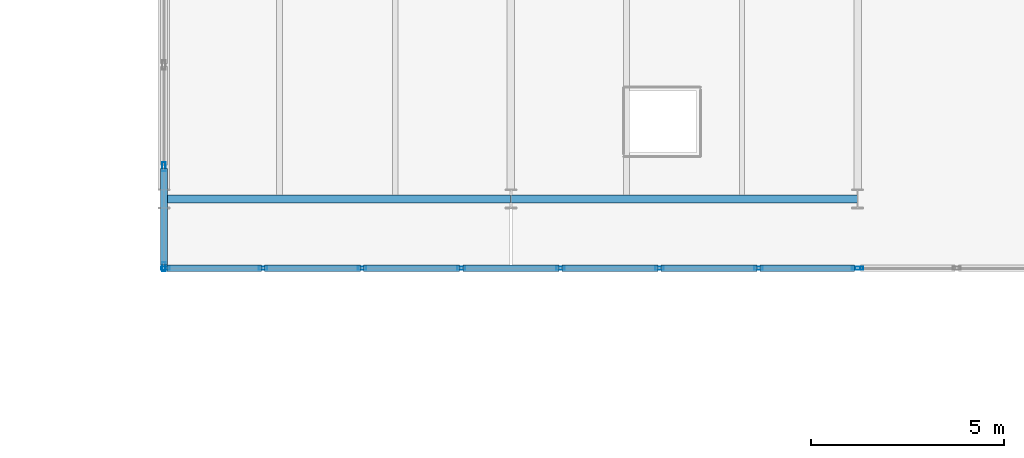
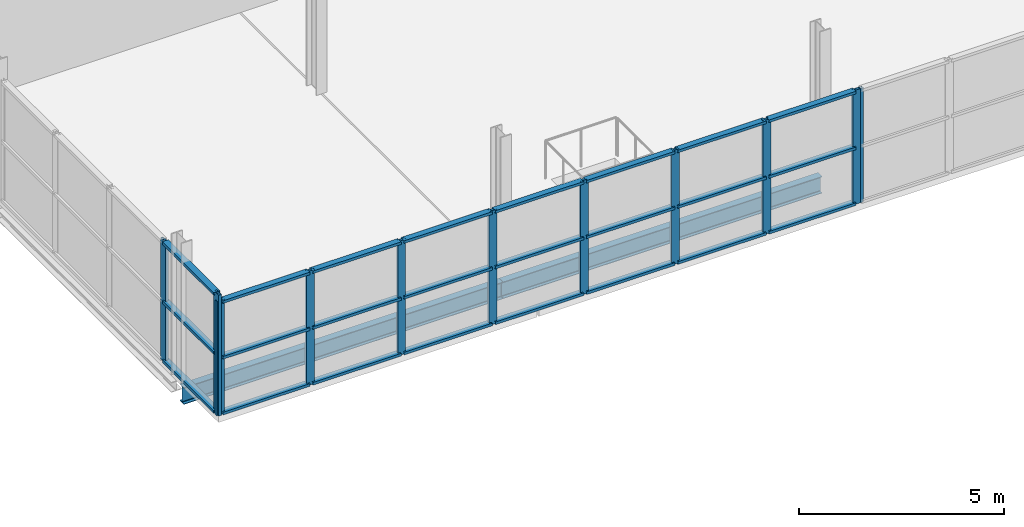
# One storey, part 6 of 59: 35 members, 2 beams, 3 elements without a shape of their own.
"""IFC4 building model written with IfcOpenShell, lengths in metres."""

from ifc_helpers import new_model, si_unit, direction, frame, origin, origin_2d, place, context, subcontext, project, spatial, hollow_rectangle, i_section, extrude, material, layer, layer_set, material_profile, profile_set, type_object, element, aggregate, save


model = new_model("IFC4")

# Units and contexts
model_context = context("Model", 3, precision=1e-05, world=origin(), true_north=direction((0.0, 1.0)))
body_context = subcontext(model_context, "Body", "Model", "MODEL_VIEW")
ifc_project = project(units=[si_unit("LENGTHUNIT", "METRE"), si_unit("AREAUNIT", "SQUARE_METRE"), si_unit("VOLUMEUNIT", "CUBIC_METRE"), si_unit("PLANEANGLEUNIT", "RADIAN"), si_unit("MASSUNIT", "GRAM", prefix="KILO")], contexts=[model_context])

# Site, building, storey
site_placement = place(None, origin())
site = spatial("IfcSite", under=ifc_project, at=site_placement, CompositionType="ELEMENT")
building_placement = place(site_placement, origin())
building = spatial("IfcBuilding", under=site, at=building_placement, Name="Deido Ridge Mobility Hub", CompositionType="ELEMENT")
storey_placement = place(building_placement, frame((0.0, 0.0, 21.0)))
storey = spatial("IfcBuildingStorey", under=building, at=storey_placement, Name="L05", CompositionType="ELEMENT", Elevation=21.0)

# Beams
ifc_material_1 = material(Name="Steel S355J2 EN 10025-2", Category="steel")
ifc_material_profile_1 = material_profile(ifc_material_1, i_section(OverallWidth=0.199951171875, OverallDepth=0.5, WebThickness=0.01025390625, FlangeThickness=0.01611328125, FilletRadius=0.02099609375, at=origin_2d()), Name="IPE 500")
ifc_profile_set_1 = profile_set([ifc_material_profile_1], Name="Steel S355J2 EN 10025-2")
beam_type = type_object("IfcBeamType", Name="BM-IPE500", PredefinedType="BEAM", material=ifc_profile_set_1)
for number, where, z_axis, x_axis, name in (
    (1, (63.007080078125, 45.0, -0.4951171875), (1.0, 0.0, 0.0), (0.0, 1.0, 0.0), "Floor beam B3"),
    (2, (72.007080078125, 45.0, -0.4951171875), (1.0, 0.0, 0.0), (0.0, 1.0, 0.0), "Floor beam B3"),
):
    element("IfcBeam", number, at=place(storey_placement, frame(where, z_axis=z_axis, x_axis=x_axis)), inside=storey, type_object=beam_type, Name=name, PredefinedType="BEAM", context=body_context, shape_type="SweptSolid", body=[
        extrude(i_section(OverallWidth=0.199951171875, OverallDepth=0.5, WebThickness=0.01025390625, FlangeThickness=0.01611328125, FilletRadius=0.02099609375, at=origin_2d()), origin(), (0.0, 0.0, 1.0), 8.98583984375),
    ])

# Curtain wall, members
ifc_material_2 = material(Name="Anodised aluminium EN AW-6063 T6", Category="aluminium")
ifc_layer_1 = layer(ifc_material_2, 0.2548828125, Name="Anodised aluminium EN AW-6063 T6")
ifc_layer_set_1 = layer_set([ifc_layer_1], Name="Anodised aluminium EN AW-6063 T6")
curtain_wall_type_1 = type_object("IfcCurtainWallType", Name="CW-UF-7", PredefinedType="USERDEFINED", material=ifc_layer_set_1)
curtain_wall_1_placement = place(storey_placement, origin())
curtain_wall_1 = element("IfcCurtainWall", 3, at=curtain_wall_1_placement, inside=storey, type_object=curtain_wall_type_1, Name="Unitised curtain wall CW7", ObjectType="UNITISED FACADE", PredefinedType="USERDEFINED")
ifc_material_profile_2 = material_profile(ifc_material_2, hollow_rectangle(XDim=0.080078125, YDim=0.219970703125, WallThickness=0.00390625, at=origin_2d()), Name="RHS 80x220x4")
ifc_profile_set_2 = profile_set([ifc_material_profile_2], Name="Anodised aluminium EN AW-6063 T6")
member_type_1 = type_object("IfcMemberType", Name="MEM-MUL-80X220", PredefinedType="MULLION", material=ifc_profile_set_2)
member_1_placement = place(storey_placement, frame((63.0400390625, 43.199951171875, 0.0), z_axis=(0.0, 0.0, 1.0), x_axis=(0.0, 1.0, 0.0)))
member_1 = element("IfcMember", 4, at=member_1_placement, type_object=member_type_1, Name="CW7 mullion 1", PredefinedType="MULLION", context=body_context, shape_type="SweptSolid", body=[
    extrude(hollow_rectangle(XDim=0.080078125, YDim=0.219970703125, WallThickness=0.00390625, at=origin_2d()), origin(), (0.0, 0.0, 1.0), 3.39990234375),
])
member_2_placement = place(storey_placement, frame((65.571533203125, 43.199951171875, 0.0), z_axis=(0.0, 0.0, 1.0), x_axis=(0.0, 1.0, 0.0)))
member_2 = element("IfcMember", 5, at=member_2_placement, type_object=member_type_1, Name="CW7 mullion 2", PredefinedType="MULLION", context=body_context, shape_type="SweptSolid", body=[
    extrude(hollow_rectangle(XDim=0.080078125, YDim=0.219970703125, WallThickness=0.00390625, at=origin_2d()), origin(), (0.0, 0.0, 1.0), 3.39990234375),
])
member_3_placement = place(storey_placement, frame((68.142822265625, 43.199951171875, 0.0), z_axis=(0.0, 0.0, 1.0), x_axis=(0.0, 1.0, 0.0)))
member_3 = element("IfcMember", 6, at=member_3_placement, type_object=member_type_1, Name="CW7 mullion 3", PredefinedType="MULLION", context=body_context, shape_type="SweptSolid", body=[
    extrude(hollow_rectangle(XDim=0.080078125, YDim=0.219970703125, WallThickness=0.00390625, at=origin_2d()), origin(), (0.0, 0.0, 1.0), 3.39990234375),
])
member_4_placement = place(storey_placement, frame((70.71435546875, 43.199951171875, 0.0), z_axis=(0.0, 0.0, 1.0), x_axis=(0.0, 1.0, 0.0)))
member_4 = element("IfcMember", 7, at=member_4_placement, type_object=member_type_1, Name="CW7 mullion 4", PredefinedType="MULLION", context=body_context, shape_type="SweptSolid", body=[
    extrude(hollow_rectangle(XDim=0.080078125, YDim=0.219970703125, WallThickness=0.00390625, at=origin_2d()), origin(), (0.0, 0.0, 1.0), 3.39990234375),
])
member_5_placement = place(storey_placement, frame((73.28564453125, 43.199951171875, 0.0), z_axis=(0.0, 0.0, 1.0), x_axis=(0.0, 1.0, 0.0)))
member_5 = element("IfcMember", 8, at=member_5_placement, type_object=member_type_1, Name="CW7 mullion 5", PredefinedType="MULLION", context=body_context, shape_type="SweptSolid", body=[
    extrude(hollow_rectangle(XDim=0.080078125, YDim=0.219970703125, WallThickness=0.00390625, at=origin_2d()), origin(), (0.0, 0.0, 1.0), 3.39990234375),
])
member_6_placement = place(storey_placement, frame((75.857177734375, 43.199951171875, 0.0), z_axis=(0.0, 0.0, 1.0), x_axis=(0.0, 1.0, 0.0)))
member_6 = element("IfcMember", 9, at=member_6_placement, type_object=member_type_1, Name="CW7 mullion 6", PredefinedType="MULLION", context=body_context, shape_type="SweptSolid", body=[
    extrude(hollow_rectangle(XDim=0.080078125, YDim=0.219970703125, WallThickness=0.00390625, at=origin_2d()), origin(), (0.0, 0.0, 1.0), 3.39990234375),
])
member_7_placement = place(storey_placement, frame((78.428466796875, 43.199951171875, 0.0), z_axis=(0.0, 0.0, 1.0), x_axis=(0.0, 1.0, 0.0)))
member_7 = element("IfcMember", 10, at=member_7_placement, type_object=member_type_1, Name="CW7 mullion 7", PredefinedType="MULLION", context=body_context, shape_type="SweptSolid", body=[
    extrude(hollow_rectangle(XDim=0.080078125, YDim=0.219970703125, WallThickness=0.00390625, at=origin_2d()), origin(), (0.0, 0.0, 1.0), 3.39990234375),
])
member_8_placement = place(storey_placement, frame((80.9599609375, 43.199951171875, 0.0), z_axis=(0.0, 0.0, 1.0), x_axis=(0.0, 1.0, 0.0)))
member_8 = element("IfcMember", 11, at=member_8_placement, type_object=member_type_1, Name="CW7 mullion 8", PredefinedType="MULLION", context=body_context, shape_type="SweptSolid", body=[
    extrude(hollow_rectangle(XDim=0.080078125, YDim=0.219970703125, WallThickness=0.00390625, at=origin_2d()), origin(), (0.0, 0.0, 1.0), 3.39990234375),
])

# Curtain wall, member
curtain_wall_2_placement = place(storey_placement, origin())
curtain_wall_2 = element("IfcCurtainWall", 12, at=curtain_wall_2_placement, inside=storey, type_object=curtain_wall_type_1, Name="Unitised curtain wall CW7", ObjectType="UNITISED FACADE", PredefinedType="USERDEFINED")
member_9_placement = place(storey_placement, frame((81.0400390625, 43.199951171875, 0.0), z_axis=(0.0, 0.0, 1.0), x_axis=(0.0, 1.0, 0.0)))
member_9 = element("IfcMember", 13, at=member_9_placement, type_object=member_type_1, Name="CW7 mullion 1", PredefinedType="MULLION", context=body_context, shape_type="SweptSolid", body=[
    extrude(hollow_rectangle(XDim=0.080078125, YDim=0.219970703125, WallThickness=0.00390625, at=origin_2d()), origin(), (0.0, 0.0, 1.0), 3.39990234375),
])
aggregate(curtain_wall_2, [member_9])

# Curtain wall, members
ifc_layer_2 = layer(ifc_material_2, 0.156005859375, Name="Anodised aluminium EN AW-6063 T6")
ifc_layer_set_2 = layer_set([ifc_layer_2], Name="Anodised aluminium EN AW-6063 T6")
curtain_wall_type_2 = type_object("IfcCurtainWallType", Name="CW-GS-3", PredefinedType="USERDEFINED", material=ifc_layer_set_2)
curtain_wall_3_placement = place(storey_placement, origin())
curtain_wall_3 = element("IfcCurtainWall", 14, at=curtain_wall_3_placement, inside=storey, type_object=curtain_wall_type_2, Name="Unitised curtain wall GS3", ObjectType="GLAZED SCREEN", PredefinedType="USERDEFINED")
ifc_material_profile_3 = material_profile(ifc_material_2, hollow_rectangle(XDim=0.0849609375, YDim=0.235107421875, WallThickness=0.00390625, at=origin_2d()), Name="RHS 85x235x4")
ifc_profile_set_3 = profile_set([ifc_material_profile_3], Name="Anodised aluminium EN AW-6063 T6")
member_type_2 = type_object("IfcMemberType", Name="MEM-MUL-85X235", PredefinedType="MULLION", material=ifc_profile_set_3)
member_10_placement = place(storey_placement, frame((63.0, 43.242431640625, 0.0), z_axis=(0.0, 0.0, 1.0), x_axis=(-1.0, 0.0, 0.0)))
member_10 = element("IfcMember", 15, at=member_10_placement, type_object=member_type_2, Name="GS3 mullion 1", PredefinedType="MULLION", context=body_context, shape_type="SweptSolid", body=[
    extrude(hollow_rectangle(XDim=0.0849609375, YDim=0.235107421875, WallThickness=0.00390625, at=origin_2d()), origin(), (0.0, 0.0, 1.0), 3.60009765625),
])
member_11_placement = place(storey_placement, frame((63.0, 45.83740234375, 0.0), z_axis=(0.0, 0.0, 1.0), x_axis=(-1.0, 0.0, 0.0)))
member_11 = element("IfcMember", 16, at=member_11_placement, type_object=member_type_2, Name="GS3 mullion 2", PredefinedType="MULLION", context=body_context, shape_type="SweptSolid", body=[
    extrude(hollow_rectangle(XDim=0.0849609375, YDim=0.235107421875, WallThickness=0.00390625, at=origin_2d()), origin(), (0.0, 0.0, 1.0), 3.60009765625),
])

# Member
ifc_material_profile_4 = material_profile(ifc_material_2, hollow_rectangle(XDim=0.1650390625, YDim=0.080078125, WallThickness=0.00390625, at=origin_2d()), Name="RHS 165x80x4")
ifc_profile_set_4 = profile_set([ifc_material_profile_4], Name="Anodised aluminium EN AW-6063 T6")
member_type_3 = type_object("IfcMemberType", Name="MEM-TRN-165X80", PredefinedType="USERDEFINED", material=ifc_profile_set_4)
member_12_placement = place(storey_placement, frame((63.080078125, 43.199951171875, 0.0400390625), z_axis=(1.0, 0.0, 0.0), x_axis=(0.0, 1.0, 0.0)))
member_12 = element("IfcMember", 17, at=member_12_placement, type_object=member_type_3, Name="CW7 transom 1.1", ObjectType="TRANSOM", PredefinedType="USERDEFINED", context=body_context, shape_type="SweptSolid", body=[
    extrude(hollow_rectangle(XDim=0.1650390625, YDim=0.080078125, WallThickness=0.00390625, at=origin_2d()), origin(), (0.0, 0.0, 1.0), 2.451416015625),
])

member_13_placement = place(storey_placement, frame((63.080078125, 43.199951171875, 1.699951171875), z_axis=(1.0, 0.0, 0.0), x_axis=(0.0, 1.0, 0.0)))
member_13 = element("IfcMember", 18, at=member_13_placement, type_object=member_type_3, Name="CW7 transom 1.2", ObjectType="TRANSOM", PredefinedType="USERDEFINED", context=body_context, shape_type="SweptSolid", body=[
    extrude(hollow_rectangle(XDim=0.1650390625, YDim=0.080078125, WallThickness=0.00390625, at=origin_2d()), origin(), (0.0, 0.0, 1.0), 2.451416015625),
])

member_14_placement = place(storey_placement, frame((63.080078125, 43.199951171875, 3.360107421875), z_axis=(1.0, 0.0, 0.0), x_axis=(0.0, 1.0, 0.0)))
member_14 = element("IfcMember", 19, at=member_14_placement, type_object=member_type_3, Name="CW7 transom 1.3", ObjectType="TRANSOM", PredefinedType="USERDEFINED", context=body_context, shape_type="SweptSolid", body=[
    extrude(hollow_rectangle(XDim=0.1650390625, YDim=0.080078125, WallThickness=0.00390625, at=origin_2d()), origin(), (0.0, 0.0, 1.0), 2.451416015625),
])

member_15_placement = place(storey_placement, frame((65.611328125, 43.199951171875, 0.0400390625), z_axis=(1.0, 0.0, 0.0), x_axis=(0.0, 1.0, 0.0)))
member_15 = element("IfcMember", 20, at=member_15_placement, type_object=member_type_3, Name="CW7 transom 2.1", ObjectType="TRANSOM", PredefinedType="USERDEFINED", context=body_context, shape_type="SweptSolid", body=[
    extrude(hollow_rectangle(XDim=0.1650390625, YDim=0.080078125, WallThickness=0.00390625, at=origin_2d()), origin(), (0.0, 0.0, 1.0), 2.491455078125),
])

member_16_placement = place(storey_placement, frame((65.611328125, 43.199951171875, 1.699951171875), z_axis=(1.0, 0.0, 0.0), x_axis=(0.0, 1.0, 0.0)))
member_16 = element("IfcMember", 21, at=member_16_placement, type_object=member_type_3, Name="CW7 transom 2.2", ObjectType="TRANSOM", PredefinedType="USERDEFINED", context=body_context, shape_type="SweptSolid", body=[
    extrude(hollow_rectangle(XDim=0.1650390625, YDim=0.080078125, WallThickness=0.00390625, at=origin_2d()), origin(), (0.0, 0.0, 1.0), 2.491455078125),
])

member_17_placement = place(storey_placement, frame((65.611328125, 43.199951171875, 3.360107421875), z_axis=(1.0, 0.0, 0.0), x_axis=(0.0, 1.0, 0.0)))
member_17 = element("IfcMember", 22, at=member_17_placement, type_object=member_type_3, Name="CW7 transom 2.3", ObjectType="TRANSOM", PredefinedType="USERDEFINED", context=body_context, shape_type="SweptSolid", body=[
    extrude(hollow_rectangle(XDim=0.1650390625, YDim=0.080078125, WallThickness=0.00390625, at=origin_2d()), origin(), (0.0, 0.0, 1.0), 2.491455078125),
])

member_18_placement = place(storey_placement, frame((68.182861328125, 43.199951171875, 0.0400390625), z_axis=(1.0, 0.0, 0.0), x_axis=(0.0, 1.0, 0.0)))
member_18 = element("IfcMember", 23, at=member_18_placement, type_object=member_type_3, Name="CW7 transom 3.1", ObjectType="TRANSOM", PredefinedType="USERDEFINED", context=body_context, shape_type="SweptSolid", body=[
    extrude(hollow_rectangle(XDim=0.1650390625, YDim=0.080078125, WallThickness=0.00390625, at=origin_2d()), origin(), (0.0, 0.0, 1.0), 2.491455078125),
])

member_19_placement = place(storey_placement, frame((68.182861328125, 43.199951171875, 1.699951171875), z_axis=(1.0, 0.0, 0.0), x_axis=(0.0, 1.0, 0.0)))
member_19 = element("IfcMember", 24, at=member_19_placement, type_object=member_type_3, Name="CW7 transom 3.2", ObjectType="TRANSOM", PredefinedType="USERDEFINED", context=body_context, shape_type="SweptSolid", body=[
    extrude(hollow_rectangle(XDim=0.1650390625, YDim=0.080078125, WallThickness=0.00390625, at=origin_2d()), origin(), (0.0, 0.0, 1.0), 2.491455078125),
])

member_20_placement = place(storey_placement, frame((68.182861328125, 43.199951171875, 3.360107421875), z_axis=(1.0, 0.0, 0.0), x_axis=(0.0, 1.0, 0.0)))
member_20 = element("IfcMember", 25, at=member_20_placement, type_object=member_type_3, Name="CW7 transom 3.3", ObjectType="TRANSOM", PredefinedType="USERDEFINED", context=body_context, shape_type="SweptSolid", body=[
    extrude(hollow_rectangle(XDim=0.1650390625, YDim=0.080078125, WallThickness=0.00390625, at=origin_2d()), origin(), (0.0, 0.0, 1.0), 2.491455078125),
])

member_21_placement = place(storey_placement, frame((70.75439453125, 43.199951171875, 0.0400390625), z_axis=(1.0, 0.0, 0.0), x_axis=(0.0, 1.0, 0.0)))
member_21 = element("IfcMember", 26, at=member_21_placement, type_object=member_type_3, Name="CW7 transom 4.1", ObjectType="TRANSOM", PredefinedType="USERDEFINED", context=body_context, shape_type="SweptSolid", body=[
    extrude(hollow_rectangle(XDim=0.1650390625, YDim=0.080078125, WallThickness=0.00390625, at=origin_2d()), origin(), (0.0, 0.0, 1.0), 2.4912109375),
])

member_22_placement = place(storey_placement, frame((70.75439453125, 43.199951171875, 1.699951171875), z_axis=(1.0, 0.0, 0.0), x_axis=(0.0, 1.0, 0.0)))
member_22 = element("IfcMember", 27, at=member_22_placement, type_object=member_type_3, Name="CW7 transom 4.2", ObjectType="TRANSOM", PredefinedType="USERDEFINED", context=body_context, shape_type="SweptSolid", body=[
    extrude(hollow_rectangle(XDim=0.1650390625, YDim=0.080078125, WallThickness=0.00390625, at=origin_2d()), origin(), (0.0, 0.0, 1.0), 2.4912109375),
])

member_23_placement = place(storey_placement, frame((70.75439453125, 43.199951171875, 3.360107421875), z_axis=(1.0, 0.0, 0.0), x_axis=(0.0, 1.0, 0.0)))
member_23 = element("IfcMember", 28, at=member_23_placement, type_object=member_type_3, Name="CW7 transom 4.3", ObjectType="TRANSOM", PredefinedType="USERDEFINED", context=body_context, shape_type="SweptSolid", body=[
    extrude(hollow_rectangle(XDim=0.1650390625, YDim=0.080078125, WallThickness=0.00390625, at=origin_2d()), origin(), (0.0, 0.0, 1.0), 2.4912109375),
])

member_24_placement = place(storey_placement, frame((73.32568359375, 43.199951171875, 0.0400390625), z_axis=(1.0, 0.0, 0.0), x_axis=(0.0, 1.0, 0.0)))
member_24 = element("IfcMember", 29, at=member_24_placement, type_object=member_type_3, Name="CW7 transom 5.1", ObjectType="TRANSOM", PredefinedType="USERDEFINED", context=body_context, shape_type="SweptSolid", body=[
    extrude(hollow_rectangle(XDim=0.1650390625, YDim=0.080078125, WallThickness=0.00390625, at=origin_2d()), origin(), (0.0, 0.0, 1.0), 2.491455078125),
])

member_25_placement = place(storey_placement, frame((73.32568359375, 43.199951171875, 1.699951171875), z_axis=(1.0, 0.0, 0.0), x_axis=(0.0, 1.0, 0.0)))
member_25 = element("IfcMember", 30, at=member_25_placement, type_object=member_type_3, Name="CW7 transom 5.2", ObjectType="TRANSOM", PredefinedType="USERDEFINED", context=body_context, shape_type="SweptSolid", body=[
    extrude(hollow_rectangle(XDim=0.1650390625, YDim=0.080078125, WallThickness=0.00390625, at=origin_2d()), origin(), (0.0, 0.0, 1.0), 2.491455078125),
])

member_26_placement = place(storey_placement, frame((73.32568359375, 43.199951171875, 3.360107421875), z_axis=(1.0, 0.0, 0.0), x_axis=(0.0, 1.0, 0.0)))
member_26 = element("IfcMember", 31, at=member_26_placement, type_object=member_type_3, Name="CW7 transom 5.3", ObjectType="TRANSOM", PredefinedType="USERDEFINED", context=body_context, shape_type="SweptSolid", body=[
    extrude(hollow_rectangle(XDim=0.1650390625, YDim=0.080078125, WallThickness=0.00390625, at=origin_2d()), origin(), (0.0, 0.0, 1.0), 2.491455078125),
])

member_27_placement = place(storey_placement, frame((75.897216796875, 43.199951171875, 0.0400390625), z_axis=(1.0, 0.0, 0.0), x_axis=(0.0, 1.0, 0.0)))
member_27 = element("IfcMember", 32, at=member_27_placement, type_object=member_type_3, Name="CW7 transom 6.1", ObjectType="TRANSOM", PredefinedType="USERDEFINED", context=body_context, shape_type="SweptSolid", body=[
    extrude(hollow_rectangle(XDim=0.1650390625, YDim=0.080078125, WallThickness=0.00390625, at=origin_2d()), origin(), (0.0, 0.0, 1.0), 2.491455078125),
])

member_28_placement = place(storey_placement, frame((75.897216796875, 43.199951171875, 1.699951171875), z_axis=(1.0, 0.0, 0.0), x_axis=(0.0, 1.0, 0.0)))
member_28 = element("IfcMember", 33, at=member_28_placement, type_object=member_type_3, Name="CW7 transom 6.2", ObjectType="TRANSOM", PredefinedType="USERDEFINED", context=body_context, shape_type="SweptSolid", body=[
    extrude(hollow_rectangle(XDim=0.1650390625, YDim=0.080078125, WallThickness=0.00390625, at=origin_2d()), origin(), (0.0, 0.0, 1.0), 2.491455078125),
])

member_29_placement = place(storey_placement, frame((75.897216796875, 43.199951171875, 3.360107421875), z_axis=(1.0, 0.0, 0.0), x_axis=(0.0, 1.0, 0.0)))
member_29 = element("IfcMember", 34, at=member_29_placement, type_object=member_type_3, Name="CW7 transom 6.3", ObjectType="TRANSOM", PredefinedType="USERDEFINED", context=body_context, shape_type="SweptSolid", body=[
    extrude(hollow_rectangle(XDim=0.1650390625, YDim=0.080078125, WallThickness=0.00390625, at=origin_2d()), origin(), (0.0, 0.0, 1.0), 2.491455078125),
])

member_30_placement = place(storey_placement, frame((78.468505859375, 43.199951171875, 0.0400390625), z_axis=(1.0, 0.0, 0.0), x_axis=(0.0, 1.0, 0.0)))
member_30 = element("IfcMember", 35, at=member_30_placement, type_object=member_type_3, Name="CW7 transom 7.1", ObjectType="TRANSOM", PredefinedType="USERDEFINED", context=body_context, shape_type="SweptSolid", body=[
    extrude(hollow_rectangle(XDim=0.1650390625, YDim=0.080078125, WallThickness=0.00390625, at=origin_2d()), origin(), (0.0, 0.0, 1.0), 2.451416015625),
])

member_31_placement = place(storey_placement, frame((78.468505859375, 43.199951171875, 1.699951171875), z_axis=(1.0, 0.0, 0.0), x_axis=(0.0, 1.0, 0.0)))
member_31 = element("IfcMember", 36, at=member_31_placement, type_object=member_type_3, Name="CW7 transom 7.2", ObjectType="TRANSOM", PredefinedType="USERDEFINED", context=body_context, shape_type="SweptSolid", body=[
    extrude(hollow_rectangle(XDim=0.1650390625, YDim=0.080078125, WallThickness=0.00390625, at=origin_2d()), origin(), (0.0, 0.0, 1.0), 2.451416015625),
])

member_32_placement = place(storey_placement, frame((78.468505859375, 43.199951171875, 3.360107421875), z_axis=(1.0, 0.0, 0.0), x_axis=(0.0, 1.0, 0.0)))
member_32 = element("IfcMember", 37, at=member_32_placement, type_object=member_type_3, Name="CW7 transom 7.3", ObjectType="TRANSOM", PredefinedType="USERDEFINED", context=body_context, shape_type="SweptSolid", body=[
    extrude(hollow_rectangle(XDim=0.1650390625, YDim=0.080078125, WallThickness=0.00390625, at=origin_2d()), origin(), (0.0, 0.0, 1.0), 2.451416015625),
])

aggregate(curtain_wall_1, [member_1, member_2, member_3, member_4, member_5, member_6, member_7, member_8, member_12, member_13, member_14, member_15, member_16, member_17, member_18, member_19, member_20, member_21, member_22, member_23, member_24, member_25, member_26, member_27, member_28, member_29, member_30, member_31, member_32])

ifc_material_profile_5 = material_profile(ifc_material_2, hollow_rectangle(XDim=0.175048828125, YDim=0.0849609375, WallThickness=0.00390625, at=origin_2d()), Name="RHS 175x85x4")
ifc_profile_set_5 = profile_set([ifc_material_profile_5], Name="Anodised aluminium EN AW-6063 T6")
member_type_4 = type_object("IfcMemberType", Name="MEM-TRN-175X85", PredefinedType="USERDEFINED", material=ifc_profile_set_5)
member_33_placement = place(storey_placement, frame((63.0, 43.284912109375, 0.04248046875), z_axis=(0.0, 1.0, 0.0), x_axis=(-1.0, 0.0, 0.0)))
member_33 = element("IfcMember", 38, at=member_33_placement, type_object=member_type_4, Name="GS3 transom 1.1", ObjectType="TRANSOM", PredefinedType="USERDEFINED", context=body_context, shape_type="SweptSolid", body=[
    extrude(hollow_rectangle(XDim=0.175048828125, YDim=0.0849609375, WallThickness=0.00390625, at=origin_2d()), origin(), (0.0, 0.0, 1.0), 2.510009765625),
])

member_34_placement = place(storey_placement, frame((63.0, 43.284912109375, 1.800048828125), z_axis=(0.0, 1.0, 0.0), x_axis=(-1.0, 0.0, 0.0)))
member_34 = element("IfcMember", 39, at=member_34_placement, type_object=member_type_4, Name="GS3 transom 1.2", ObjectType="TRANSOM", PredefinedType="USERDEFINED", context=body_context, shape_type="SweptSolid", body=[
    extrude(hollow_rectangle(XDim=0.175048828125, YDim=0.0849609375, WallThickness=0.00390625, at=origin_2d()), origin(), (0.0, 0.0, 1.0), 2.510009765625),
])

member_35_placement = place(storey_placement, frame((63.0, 43.284912109375, 3.5576171875), z_axis=(0.0, 1.0, 0.0), x_axis=(-1.0, 0.0, 0.0)))
member_35 = element("IfcMember", 40, at=member_35_placement, type_object=member_type_4, Name="GS3 transom 1.3", ObjectType="TRANSOM", PredefinedType="USERDEFINED", context=body_context, shape_type="SweptSolid", body=[
    extrude(hollow_rectangle(XDim=0.175048828125, YDim=0.0849609375, WallThickness=0.00390625, at=origin_2d()), origin(), (0.0, 0.0, 1.0), 2.510009765625),
])

aggregate(curtain_wall_3, [member_10, member_11, member_33, member_34, member_35])

save(model, "model.ifc")
